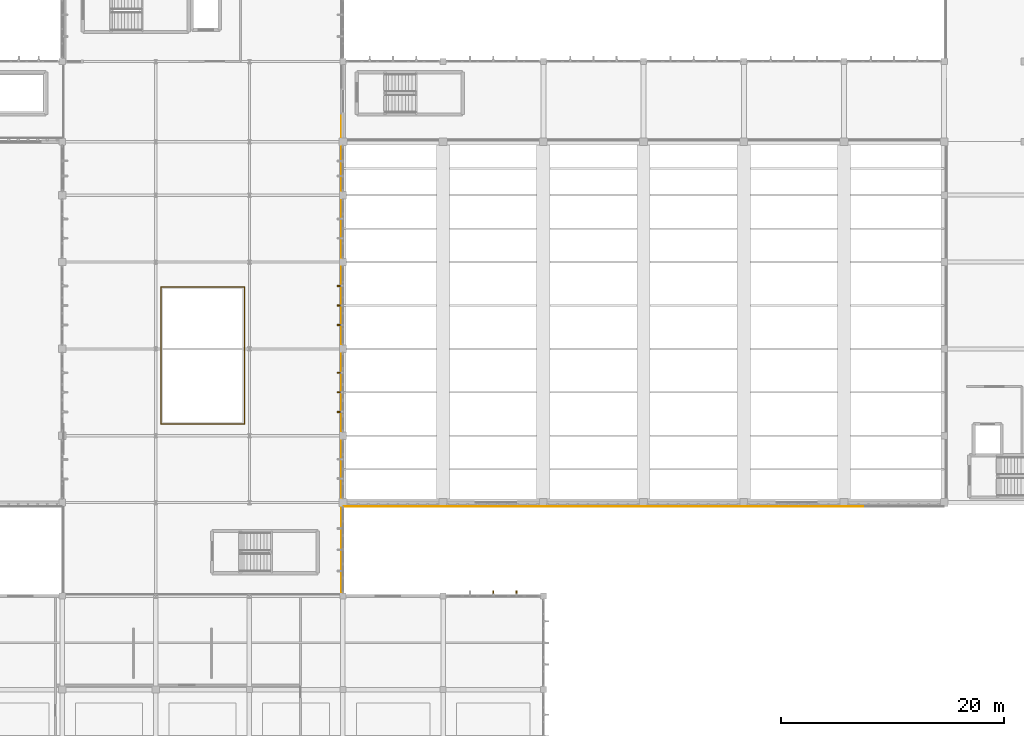
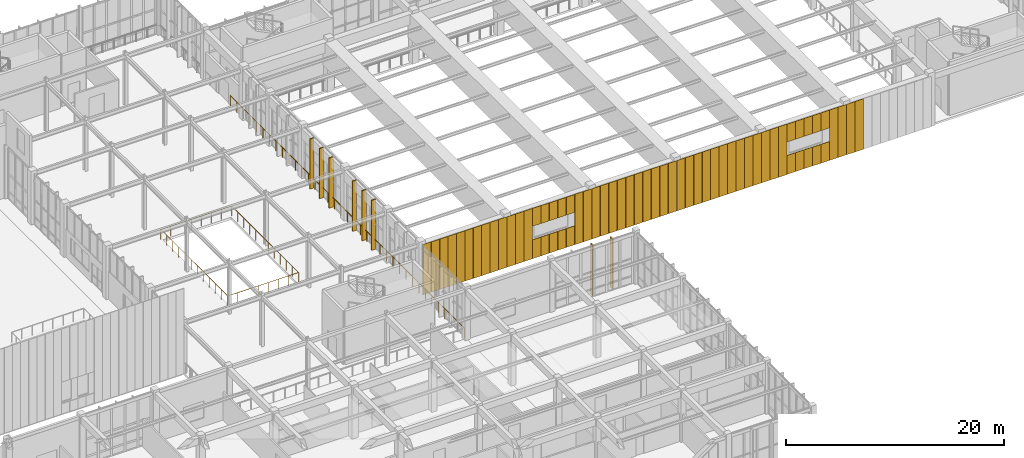
# One storey, part 97 of 105: 70 coverings, 2 railings.
"""IFC4 building model written with IfcOpenShell, lengths in metres."""

from ifc_helpers import new_model, si_unit, direction, frame, origin, origin_2d, place, context, subcontext, project, spatial, rectangle, circle, extrude, material, layer, layer_set, type_object, element, save


model = new_model("IFC4")

# Units and contexts
model_context = context("Model", 3, precision=1e-05, world=origin(), true_north=direction((0.0, 1.0)))
body_context = subcontext(model_context, "Body", "Model", "MODEL_VIEW")
ifc_project = project(units=[si_unit("LENGTHUNIT", "METRE"), si_unit("AREAUNIT", "SQUARE_METRE"), si_unit("VOLUMEUNIT", "CUBIC_METRE"), si_unit("PLANEANGLEUNIT", "RADIAN"), si_unit("MASSUNIT", "GRAM", prefix="KILO")], contexts=[model_context])

# Site, building, storey
site_placement = place(None, origin())
site = spatial("IfcSite", under=ifc_project, at=site_placement, CompositionType="ELEMENT")
building_placement = place(site_placement, origin())
building = spatial("IfcBuilding", under=site, at=building_placement, Name="Tizgana Railside Sports Hall", CompositionType="ELEMENT")
storey_placement = place(building_placement, frame((0.0, 0.0, 6.0)))
storey = spatial("IfcBuildingStorey", under=building, at=storey_placement, Name="L01", CompositionType="ELEMENT", Elevation=6.0)

# Coverings
ifc_material_1 = material(Name="Glulam GL28h", Category="wood")
ifc_layer_1 = layer(ifc_material_1, 0.139892578125, Name="Glulam GL28h")
ifc_layer_set_1 = layer_set([ifc_layer_1], Name="Glulam GL28h")
covering_type_1 = type_object("IfcCoveringType", Name="Mass-Timber Brise-Soleil & Pergola Fin", PredefinedType="CLADDING", material=ifc_layer_set_1)
for number, where, z_axis, x_axis, name in (
    (1, (93.300048828125, 32.679931640625, 0.0400390625), (0.0, 0.0, 1.0), (1.0, 0.0, 0.0), "L01 Timber Brise-Soleil Fin"),
    (2, (95.385009765625, 32.679931640625, 0.0400390625), (0.0, 0.0, 1.0), (1.0, 0.0, 0.0), "L01 Timber Brise-Soleil Fin"),
):
    element("IfcCovering", number, at=place(storey_placement, frame(where, z_axis=z_axis, x_axis=x_axis)), inside=storey, type_object=covering_type_1, Name=name, PredefinedType="CLADDING", context=body_context, shape_type="SweptSolid", body=[
        extrude(rectangle(XDim=0.1201171875, YDim=0.43994140625, at=origin_2d()), origin(), (0.0, 0.0, 1.0), 5.639892578125),
    ])
for number, where, z_axis, x_axis, name in (
    (3, (79.52001953125, 48.93994140625, 0.0400390625), (0.0, 0.0, 1.0), (0.0, 1.0, 0.0), "L01 Timber Brise-Soleil Fin"),
    (4, (79.52001953125, 50.699951171875, 0.0400390625), (0.0, 0.0, 1.0), (0.0, 1.0, 0.0), "L01 Timber Brise-Soleil Fin"),
    (5, (79.52001953125, 52.4599609375, 0.0400390625), (0.0, 0.0, 1.0), (0.0, 1.0, 0.0), "L01 Timber Brise-Soleil Fin"),
    (6, (79.52001953125, 56.739990234375, 0.0400390625), (0.0, 0.0, 1.0), (0.0, 1.0, 0.0), "L01 Timber Brise-Soleil Fin"),
    (7, (79.52001953125, 58.5, 0.0400390625), (0.0, 0.0, 1.0), (0.0, 1.0, 0.0), "L01 Timber Brise-Soleil Fin"),
    (8, (79.52001953125, 60.260009765625, 0.0400390625), (0.0, 0.0, 1.0), (0.0, 1.0, 0.0), "L01 Timber Brise-Soleil Fin"),
):
    element("IfcCovering", number, at=place(storey_placement, frame(where, z_axis=z_axis, x_axis=x_axis)), inside=storey, type_object=covering_type_1, Name=name, PredefinedType="CLADDING", context=body_context, shape_type="SweptSolid", body=[
        extrude(rectangle(XDim=0.1201171875, YDim=0.43994140625, at=origin_2d()), origin(), (0.0, 0.0, 1.0), 5.610107421875),
    ])
ifc_material_2 = material(Name="Anodised perforated aluminium screen", Category="aluminium")
ifc_layer_2 = layer(ifc_material_2, 0.044921875, Name="Anodised perforated aluminium screen")
ifc_layer_set_2 = layer_set([ifc_layer_2], Name="Anodised perforated aluminium screen")
covering_type_2 = type_object("IfcCoveringType", Name="Perforated Aluminium Hall Screen 900", PredefinedType="CLADDING", material=ifc_layer_set_2)
for number, where, z_axis, x_axis, name in (
    (9, (88.304931640625, 40.465087890625, -0.030029296875), (0.0, 0.0, 1.0), (-1.0, 0.0, 0.0), "L01 Perforated Screen SCR-0202"),
    (10, (87.4150390625, 40.465087890625, -0.030029296875), (0.0, 0.0, 1.0), (-1.0, 0.0, 0.0), "L01 Perforated Screen SCR-0203"),
    (11, (86.52490234375, 40.465087890625, -0.030029296875), (0.0, 0.0, 1.0), (-1.0, 0.0, 0.0), "L01 Perforated Screen SCR-0204"),
    (12, (85.635009765625, 40.465087890625, -0.030029296875), (0.0, 0.0, 1.0), (-1.0, 0.0, 0.0), "L01 Perforated Screen SCR-0205"),
    (13, (84.7451171875, 40.465087890625, -0.030029296875), (0.0, 0.0, 1.0), (-1.0, 0.0, 0.0), "L01 Perforated Screen SCR-0206"),
    (14, (83.85498046875, 40.465087890625, -0.030029296875), (0.0, 0.0, 1.0), (-1.0, 0.0, 0.0), "L01 Perforated Screen SCR-0207"),
    (15, (82.965087890625, 40.465087890625, -0.030029296875), (0.0, 0.0, 1.0), (-1.0, 0.0, 0.0), "L01 Perforated Screen SCR-0208"),
    (16, (82.074951171875, 40.465087890625, -0.030029296875), (0.0, 0.0, 1.0), (-1.0, 0.0, 0.0), "L01 Perforated Screen SCR-0209"),
    (17, (81.18505859375, 40.465087890625, -0.030029296875), (0.0, 0.0, 1.0), (-1.0, 0.0, 0.0), "L01 Perforated Screen SCR-0210"),
    (18, (80.294921875, 40.465087890625, -0.030029296875), (0.0, 0.0, 1.0), (-1.0, 0.0, 0.0), "L01 Perforated Screen SCR-0211"),
):
    element("IfcCovering", number, at=place(storey_placement, frame(where, z_axis=z_axis, x_axis=x_axis)), inside=storey, type_object=covering_type_2, Name=name, PredefinedType="CLADDING", context=body_context, shape_type="SweptSolid", body=[
        extrude(rectangle(XDim=0.8720703125, YDim=0.044921875, at=origin_2d()), origin(), (0.0, 0.0, 1.0), 5.64990234375),
    ])
for number, where, z_axis, x_axis, name in (
    (19, (97.30029296875, 40.465087890625, -0.030029296875), (0.0, 0.0, 1.0), (-1.0, 0.0, 0.0), "L01 Perforated Screen SCR-0239"),
    (20, (96.40087890625, 40.465087890625, -0.030029296875), (0.0, 0.0, 1.0), (-1.0, 0.0, 0.0), "L01 Perforated Screen SCR-0240"),
):
    element("IfcCovering", number, at=place(storey_placement, frame(where, z_axis=z_axis, x_axis=x_axis)), inside=storey, type_object=covering_type_2, Name=name, PredefinedType="CLADDING", context=body_context, shape_type="SweptSolid", body=[
        extrude(rectangle(XDim=0.881591796875, YDim=0.044921875, at=origin_2d()), origin(), (0.0, 0.0, 1.0), 5.64990234375),
    ])
covering_1_placement = place(storey_placement, frame((95.501220703125, 40.465087890625, -0.02001953125), z_axis=(0.0, 0.0, 1.0), x_axis=(-1.0, 0.0, 0.0)))
element("IfcCovering", 21, at=covering_1_placement, inside=storey, type_object=covering_type_2, Name="L01 Perforated Spandrel SCR-0241", PredefinedType="CLADDING", context=body_context, shape_type="SweptSolid", body=[
    extrude(rectangle(XDim=0.881591796875, YDim=0.044921875, at=origin_2d()), origin(), (0.0, 0.0, 1.0), 2.110107421875),
])
covering_2_placement = place(storey_placement, frame((95.501220703125, 40.465087890625, 3.610107421875), z_axis=(0.0, 0.0, 1.0), x_axis=(-1.0, 0.0, 0.0)))
element("IfcCovering", 22, at=covering_2_placement, inside=storey, type_object=covering_type_2, Name="L01 Perforated Header SCR-0242", PredefinedType="CLADDING", context=body_context, shape_type="SweptSolid", body=[
    extrude(rectangle(XDim=0.881591796875, YDim=0.044921875, at=origin_2d()), origin(), (0.0, 0.0, 1.0), 2.0),
])
covering_3_placement = place(storey_placement, frame((94.601806640625, 40.465087890625, -0.02001953125), z_axis=(0.0, 0.0, 1.0), x_axis=(-1.0, 0.0, 0.0)))
element("IfcCovering", 23, at=covering_3_placement, inside=storey, type_object=covering_type_2, Name="L01 Perforated Spandrel SCR-0243", PredefinedType="CLADDING", context=body_context, shape_type="SweptSolid", body=[
    extrude(rectangle(XDim=0.881591796875, YDim=0.044921875, at=origin_2d()), origin(), (0.0, 0.0, 1.0), 2.110107421875),
])
covering_4_placement = place(storey_placement, frame((94.601806640625, 40.465087890625, 3.610107421875), z_axis=(0.0, 0.0, 1.0), x_axis=(-1.0, 0.0, 0.0)))
element("IfcCovering", 24, at=covering_4_placement, inside=storey, type_object=covering_type_2, Name="L01 Perforated Header SCR-0244", PredefinedType="CLADDING", context=body_context, shape_type="SweptSolid", body=[
    extrude(rectangle(XDim=0.881591796875, YDim=0.044921875, at=origin_2d()), origin(), (0.0, 0.0, 1.0), 2.0),
])
covering_5_placement = place(storey_placement, frame((93.7021484375, 40.465087890625, -0.02001953125), z_axis=(0.0, 0.0, 1.0), x_axis=(-1.0, 0.0, 0.0)))
element("IfcCovering", 25, at=covering_5_placement, inside=storey, type_object=covering_type_2, Name="L01 Perforated Spandrel SCR-0245", PredefinedType="CLADDING", context=body_context, shape_type="SweptSolid", body=[
    extrude(rectangle(XDim=0.881591796875, YDim=0.044921875, at=origin_2d()), origin(), (0.0, 0.0, 1.0), 2.110107421875),
])
covering_6_placement = place(storey_placement, frame((93.7021484375, 40.465087890625, 3.610107421875), z_axis=(0.0, 0.0, 1.0), x_axis=(-1.0, 0.0, 0.0)))
element("IfcCovering", 26, at=covering_6_placement, inside=storey, type_object=covering_type_2, Name="L01 Perforated Header SCR-0246", PredefinedType="CLADDING", context=body_context, shape_type="SweptSolid", body=[
    extrude(rectangle(XDim=0.881591796875, YDim=0.044921875, at=origin_2d()), origin(), (0.0, 0.0, 1.0), 2.0),
])
covering_7_placement = place(storey_placement, frame((92.802734375, 40.465087890625, -0.02001953125), z_axis=(0.0, 0.0, 1.0), x_axis=(-1.0, 0.0, 0.0)))
element("IfcCovering", 27, at=covering_7_placement, inside=storey, type_object=covering_type_2, Name="L01 Perforated Spandrel SCR-0247", PredefinedType="CLADDING", context=body_context, shape_type="SweptSolid", body=[
    extrude(rectangle(XDim=0.881591796875, YDim=0.044921875, at=origin_2d()), origin(), (0.0, 0.0, 1.0), 2.110107421875),
])
covering_8_placement = place(storey_placement, frame((92.802734375, 40.465087890625, 3.610107421875), z_axis=(0.0, 0.0, 1.0), x_axis=(-1.0, 0.0, 0.0)))
element("IfcCovering", 28, at=covering_8_placement, inside=storey, type_object=covering_type_2, Name="L01 Perforated Header SCR-0248", PredefinedType="CLADDING", context=body_context, shape_type="SweptSolid", body=[
    extrude(rectangle(XDim=0.881591796875, YDim=0.044921875, at=origin_2d()), origin(), (0.0, 0.0, 1.0), 2.0),
])
covering_9_placement = place(storey_placement, frame((91.9033203125, 40.465087890625, -0.02001953125), z_axis=(0.0, 0.0, 1.0), x_axis=(-1.0, 0.0, 0.0)))
element("IfcCovering", 29, at=covering_9_placement, inside=storey, type_object=covering_type_2, Name="L01 Perforated Spandrel SCR-0249", PredefinedType="CLADDING", context=body_context, shape_type="SweptSolid", body=[
    extrude(rectangle(XDim=0.881591796875, YDim=0.044921875, at=origin_2d()), origin(), (0.0, 0.0, 1.0), 2.110107421875),
])
covering_10_placement = place(storey_placement, frame((91.9033203125, 40.465087890625, 3.610107421875), z_axis=(0.0, 0.0, 1.0), x_axis=(-1.0, 0.0, 0.0)))
element("IfcCovering", 30, at=covering_10_placement, inside=storey, type_object=covering_type_2, Name="L01 Perforated Header SCR-0250", PredefinedType="CLADDING", context=body_context, shape_type="SweptSolid", body=[
    extrude(rectangle(XDim=0.881591796875, YDim=0.044921875, at=origin_2d()), origin(), (0.0, 0.0, 1.0), 2.0),
])
for number, where, z_axis, x_axis, name in (
    (31, (91.003662109375, 40.465087890625, -0.030029296875), (0.0, 0.0, 1.0), (-1.0, 0.0, 0.0), "L01 Perforated Screen SCR-0251"),
    (32, (90.104248046875, 40.465087890625, -0.030029296875), (0.0, 0.0, 1.0), (-1.0, 0.0, 0.0), "L01 Perforated Screen SCR-0252"),
    (33, (89.20458984375, 40.465087890625, -0.030029296875), (0.0, 0.0, 1.0), (-1.0, 0.0, 0.0), "L01 Perforated Screen SCR-0253"),
    (34, (106.30029296875, 40.465087890625, -0.030029296875), (0.0, 0.0, 1.0), (-1.0, 0.0, 0.0), "L01 Perforated Screen SCR-0279"),
    (35, (105.40087890625, 40.465087890625, -0.030029296875), (0.0, 0.0, 1.0), (-1.0, 0.0, 0.0), "L01 Perforated Screen SCR-0280"),
    (36, (104.501220703125, 40.465087890625, -0.030029296875), (0.0, 0.0, 1.0), (-1.0, 0.0, 0.0), "L01 Perforated Screen SCR-0281"),
    (37, (103.601806640625, 40.465087890625, -0.030029296875), (0.0, 0.0, 1.0), (-1.0, 0.0, 0.0), "L01 Perforated Screen SCR-0282"),
    (38, (102.7021484375, 40.465087890625, -0.030029296875), (0.0, 0.0, 1.0), (-1.0, 0.0, 0.0), "L01 Perforated Screen SCR-0283"),
    (39, (101.802734375, 40.465087890625, -0.030029296875), (0.0, 0.0, 1.0), (-1.0, 0.0, 0.0), "L01 Perforated Screen SCR-0284"),
    (40, (100.9033203125, 40.465087890625, -0.030029296875), (0.0, 0.0, 1.0), (-1.0, 0.0, 0.0), "L01 Perforated Screen SCR-0285"),
    (41, (100.003662109375, 40.465087890625, -0.030029296875), (0.0, 0.0, 1.0), (-1.0, 0.0, 0.0), "L01 Perforated Screen SCR-0286"),
    (42, (99.104248046875, 40.465087890625, -0.030029296875), (0.0, 0.0, 1.0), (-1.0, 0.0, 0.0), "L01 Perforated Screen SCR-0287"),
    (43, (98.20458984375, 40.465087890625, -0.030029296875), (0.0, 0.0, 1.0), (-1.0, 0.0, 0.0), "L01 Perforated Screen SCR-0288"),
    (44, (115.30029296875, 40.465087890625, -0.030029296875), (0.0, 0.0, 1.0), (-1.0, 0.0, 0.0), "L01 Perforated Screen SCR-0316"),
    (45, (114.40087890625, 40.465087890625, -0.030029296875), (0.0, 0.0, 1.0), (-1.0, 0.0, 0.0), "L01 Perforated Screen SCR-0317"),
    (46, (113.501220703125, 40.465087890625, -0.030029296875), (0.0, 0.0, 1.0), (-1.0, 0.0, 0.0), "L01 Perforated Screen SCR-0318"),
    (47, (112.601806640625, 40.465087890625, -0.030029296875), (0.0, 0.0, 1.0), (-1.0, 0.0, 0.0), "L01 Perforated Screen SCR-0319"),
    (48, (111.7021484375, 40.465087890625, -0.030029296875), (0.0, 0.0, 1.0), (-1.0, 0.0, 0.0), "L01 Perforated Screen SCR-0320"),
    (49, (110.802734375, 40.465087890625, -0.030029296875), (0.0, 0.0, 1.0), (-1.0, 0.0, 0.0), "L01 Perforated Screen SCR-0321"),
    (50, (109.9033203125, 40.465087890625, -0.030029296875), (0.0, 0.0, 1.0), (-1.0, 0.0, 0.0), "L01 Perforated Screen SCR-0322"),
    (51, (109.003662109375, 40.465087890625, -0.030029296875), (0.0, 0.0, 1.0), (-1.0, 0.0, 0.0), "L01 Perforated Screen SCR-0323"),
    (52, (108.104248046875, 40.465087890625, -0.030029296875), (0.0, 0.0, 1.0), (-1.0, 0.0, 0.0), "L01 Perforated Screen SCR-0324"),
    (53, (107.20458984375, 40.465087890625, -0.030029296875), (0.0, 0.0, 1.0), (-1.0, 0.0, 0.0), "L01 Perforated Screen SCR-0325"),
    (54, (124.30029296875, 40.465087890625, -0.030029296875), (0.0, 0.0, 1.0), (-1.0, 0.0, 0.0), "L01 Perforated Screen SCR-0346"),
    (55, (123.40087890625, 40.465087890625, -0.030029296875), (0.0, 0.0, 1.0), (-1.0, 0.0, 0.0), "L01 Perforated Screen SCR-0347"),
):
    element("IfcCovering", number, at=place(storey_placement, frame(where, z_axis=z_axis, x_axis=x_axis)), inside=storey, type_object=covering_type_2, Name=name, PredefinedType="CLADDING", context=body_context, shape_type="SweptSolid", body=[
        extrude(rectangle(XDim=0.881591796875, YDim=0.044921875, at=origin_2d()), origin(), (0.0, 0.0, 1.0), 5.64990234375),
    ])
covering_11_placement = place(storey_placement, frame((122.501220703125, 40.465087890625, -0.02001953125), z_axis=(0.0, 0.0, 1.0), x_axis=(-1.0, 0.0, 0.0)))
element("IfcCovering", 56, at=covering_11_placement, inside=storey, type_object=covering_type_2, Name="L01 Perforated Spandrel SCR-0348", PredefinedType="CLADDING", context=body_context, shape_type="SweptSolid", body=[
    extrude(rectangle(XDim=0.881591796875, YDim=0.044921875, at=origin_2d()), origin(), (0.0, 0.0, 1.0), 2.110107421875),
])
covering_12_placement = place(storey_placement, frame((122.501220703125, 40.465087890625, 3.610107421875), z_axis=(0.0, 0.0, 1.0), x_axis=(-1.0, 0.0, 0.0)))
element("IfcCovering", 57, at=covering_12_placement, inside=storey, type_object=covering_type_2, Name="L01 Perforated Header SCR-0349", PredefinedType="CLADDING", context=body_context, shape_type="SweptSolid", body=[
    extrude(rectangle(XDim=0.881591796875, YDim=0.044921875, at=origin_2d()), origin(), (0.0, 0.0, 1.0), 2.0),
])
covering_13_placement = place(storey_placement, frame((121.601806640625, 40.465087890625, -0.02001953125), z_axis=(0.0, 0.0, 1.0), x_axis=(-1.0, 0.0, 0.0)))
element("IfcCovering", 58, at=covering_13_placement, inside=storey, type_object=covering_type_2, Name="L01 Perforated Spandrel SCR-0350", PredefinedType="CLADDING", context=body_context, shape_type="SweptSolid", body=[
    extrude(rectangle(XDim=0.881591796875, YDim=0.044921875, at=origin_2d()), origin(), (0.0, 0.0, 1.0), 2.110107421875),
])
covering_14_placement = place(storey_placement, frame((121.601806640625, 40.465087890625, 3.610107421875), z_axis=(0.0, 0.0, 1.0), x_axis=(-1.0, 0.0, 0.0)))
element("IfcCovering", 59, at=covering_14_placement, inside=storey, type_object=covering_type_2, Name="L01 Perforated Header SCR-0351", PredefinedType="CLADDING", context=body_context, shape_type="SweptSolid", body=[
    extrude(rectangle(XDim=0.881591796875, YDim=0.044921875, at=origin_2d()), origin(), (0.0, 0.0, 1.0), 2.0),
])
covering_15_placement = place(storey_placement, frame((120.7021484375, 40.465087890625, -0.02001953125), z_axis=(0.0, 0.0, 1.0), x_axis=(-1.0, 0.0, 0.0)))
element("IfcCovering", 60, at=covering_15_placement, inside=storey, type_object=covering_type_2, Name="L01 Perforated Spandrel SCR-0352", PredefinedType="CLADDING", context=body_context, shape_type="SweptSolid", body=[
    extrude(rectangle(XDim=0.881591796875, YDim=0.044921875, at=origin_2d()), origin(), (0.0, 0.0, 1.0), 2.110107421875),
])
covering_16_placement = place(storey_placement, frame((120.7021484375, 40.465087890625, 3.610107421875), z_axis=(0.0, 0.0, 1.0), x_axis=(-1.0, 0.0, 0.0)))
element("IfcCovering", 61, at=covering_16_placement, inside=storey, type_object=covering_type_2, Name="L01 Perforated Header SCR-0353", PredefinedType="CLADDING", context=body_context, shape_type="SweptSolid", body=[
    extrude(rectangle(XDim=0.881591796875, YDim=0.044921875, at=origin_2d()), origin(), (0.0, 0.0, 1.0), 2.0),
])
covering_17_placement = place(storey_placement, frame((119.802734375, 40.465087890625, -0.02001953125), z_axis=(0.0, 0.0, 1.0), x_axis=(-1.0, 0.0, 0.0)))
element("IfcCovering", 62, at=covering_17_placement, inside=storey, type_object=covering_type_2, Name="L01 Perforated Spandrel SCR-0354", PredefinedType="CLADDING", context=body_context, shape_type="SweptSolid", body=[
    extrude(rectangle(XDim=0.881591796875, YDim=0.044921875, at=origin_2d()), origin(), (0.0, 0.0, 1.0), 2.110107421875),
])
covering_18_placement = place(storey_placement, frame((119.802734375, 40.465087890625, 3.610107421875), z_axis=(0.0, 0.0, 1.0), x_axis=(-1.0, 0.0, 0.0)))
element("IfcCovering", 63, at=covering_18_placement, inside=storey, type_object=covering_type_2, Name="L01 Perforated Header SCR-0355", PredefinedType="CLADDING", context=body_context, shape_type="SweptSolid", body=[
    extrude(rectangle(XDim=0.881591796875, YDim=0.044921875, at=origin_2d()), origin(), (0.0, 0.0, 1.0), 2.0),
])
covering_19_placement = place(storey_placement, frame((118.9033203125, 40.465087890625, -0.02001953125), z_axis=(0.0, 0.0, 1.0), x_axis=(-1.0, 0.0, 0.0)))
element("IfcCovering", 64, at=covering_19_placement, inside=storey, type_object=covering_type_2, Name="L01 Perforated Spandrel SCR-0356", PredefinedType="CLADDING", context=body_context, shape_type="SweptSolid", body=[
    extrude(rectangle(XDim=0.881591796875, YDim=0.044921875, at=origin_2d()), origin(), (0.0, 0.0, 1.0), 2.110107421875),
])
covering_20_placement = place(storey_placement, frame((118.9033203125, 40.465087890625, 3.610107421875), z_axis=(0.0, 0.0, 1.0), x_axis=(-1.0, 0.0, 0.0)))
element("IfcCovering", 65, at=covering_20_placement, inside=storey, type_object=covering_type_2, Name="L01 Perforated Header SCR-0357", PredefinedType="CLADDING", context=body_context, shape_type="SweptSolid", body=[
    extrude(rectangle(XDim=0.881591796875, YDim=0.044921875, at=origin_2d()), origin(), (0.0, 0.0, 1.0), 2.0),
])
for number, where, z_axis, x_axis, name in (
    (66, (118.003662109375, 40.465087890625, -0.030029296875), (0.0, 0.0, 1.0), (-1.0, 0.0, 0.0), "L01 Perforated Screen SCR-0358"),
    (67, (117.104248046875, 40.465087890625, -0.030029296875), (0.0, 0.0, 1.0), (-1.0, 0.0, 0.0), "L01 Perforated Screen SCR-0359"),
    (68, (116.20458984375, 40.465087890625, -0.030029296875), (0.0, 0.0, 1.0), (-1.0, 0.0, 0.0), "L01 Perforated Screen SCR-0360"),
    (69, (126.104248046875, 40.465087890625, -0.030029296875), (0.0, 0.0, 1.0), (-1.0, 0.0, 0.0), "L01 Perforated Screen SCR-0394"),
    (70, (125.20458984375, 40.465087890625, -0.030029296875), (0.0, 0.0, 1.0), (-1.0, 0.0, 0.0), "L01 Perforated Screen SCR-0395"),
):
    element("IfcCovering", number, at=place(storey_placement, frame(where, z_axis=z_axis, x_axis=x_axis)), inside=storey, type_object=covering_type_2, Name=name, PredefinedType="CLADDING", context=body_context, shape_type="SweptSolid", body=[
        extrude(rectangle(XDim=0.881591796875, YDim=0.044921875, at=origin_2d()), origin(), (0.0, 0.0, 1.0), 5.64990234375),
    ])

# Railings
ifc_material_3 = material(Name="Anodised aluminium", Category="aluminium")
railing_type = type_object("IfcRailingType", Name="Terrace & Track Guard 1150", PredefinedType="BALUSTRADE", material=ifc_material_3)
railing_1_placement = place(storey_placement, frame((63.449951171875, 47.85009765625, 0.0)))
element("IfcRailing", 71, at=railing_1_placement, inside=storey, type_object=railing_type, Name="L01 Safety Guard GRD-0021", PredefinedType="BALUSTRADE", context=body_context, shape_type="SweptSolid", body=[
    extrude(circle(Radius=0.02392578125, at=origin_2d()), frame((0.0, 0.0, 1.1259765625), z_axis=(1.0, 0.0, 0.0), x_axis=(0.0, 1.0, 0.0)), (0.0, 0.0, 1.0), 7.5),
    extrude(circle(Radius=0.02392578125, at=origin_2d()), frame((7.5, 0.0, 1.1259765625), z_axis=(0.0, 1.0, 0.0), x_axis=(-1.0, 0.0, 0.0)), (0.0, 0.0, 1.0), 12.2998046875),
    extrude(circle(Radius=0.02392578125, at=origin_2d()), frame((7.5, 12.2998046875, 1.1259765625), z_axis=(-1.0, 0.0, 0.0), x_axis=(0.0, -1.0, 0.0)), (0.0, 0.0, 1.0), 7.5),
    extrude(circle(Radius=0.02392578125, at=origin_2d()), frame((0.0, 12.2998046875, 1.1259765625), z_axis=(0.0, -1.0, 0.0), x_axis=(1.0, 0.0, 0.0)), (0.0, 0.0, 1.0), 12.219970703125),
    extrude(circle(Radius=0.02099609375, at=origin_2d()), origin(), (0.0, 0.0, 1.0), 1.101806640625),
    extrude(circle(Radius=0.02099609375, at=origin_2d()), frame((1.071533203125, 0.0, 0.0)), (0.0, 0.0, 1.0), 1.101806640625),
    extrude(circle(Radius=0.02099609375, at=origin_2d()), frame((2.142822265625, 0.0, 0.0)), (0.0, 0.0, 1.0), 1.101806640625),
    extrude(circle(Radius=0.02099609375, at=origin_2d()), frame((3.21435546875, 0.0, 0.0)), (0.0, 0.0, 1.0), 1.101806640625),
    extrude(circle(Radius=0.02099609375, at=origin_2d()), frame((4.28564453125, 0.0, 0.0)), (0.0, 0.0, 1.0), 1.101806640625),
    extrude(circle(Radius=0.02099609375, at=origin_2d()), frame((5.357177734375, 0.0, 0.0)), (0.0, 0.0, 1.0), 1.101806640625),
    extrude(circle(Radius=0.02099609375, at=origin_2d()), frame((6.428466796875, 0.0, 0.0)), (0.0, 0.0, 1.0), 1.101806640625),
    extrude(circle(Radius=0.02099609375, at=origin_2d()), frame((7.5, 0.0, 0.0)), (0.0, 0.0, 1.0), 1.101806640625),
    extrude(circle(Radius=0.02099609375, at=origin_2d()), frame((7.5, 1.1181640625, 0.0)), (0.0, 0.0, 1.0), 1.101806640625),
    extrude(circle(Radius=0.02099609375, at=origin_2d()), frame((7.5, 2.236328125, 0.0)), (0.0, 0.0, 1.0), 1.101806640625),
    extrude(circle(Radius=0.02099609375, at=origin_2d()), frame((7.5, 3.3544921875, 0.0)), (0.0, 0.0, 1.0), 1.101806640625),
    extrude(circle(Radius=0.02099609375, at=origin_2d()), frame((7.5, 4.47265625, 0.0)), (0.0, 0.0, 1.0), 1.101806640625),
    extrude(circle(Radius=0.02099609375, at=origin_2d()), frame((7.5, 5.5908203125, 0.0)), (0.0, 0.0, 1.0), 1.101806640625),
    extrude(circle(Radius=0.02099609375, at=origin_2d()), frame((7.5, 6.708984375, 0.0)), (0.0, 0.0, 1.0), 1.101806640625),
    extrude(circle(Radius=0.02099609375, at=origin_2d()), frame((7.5, 7.8271484375, 0.0)), (0.0, 0.0, 1.0), 1.101806640625),
    extrude(circle(Radius=0.02099609375, at=origin_2d()), frame((7.5, 8.9453125, 0.0)), (0.0, 0.0, 1.0), 1.101806640625),
    extrude(circle(Radius=0.02099609375, at=origin_2d()), frame((7.5, 10.0634765625, 0.0)), (0.0, 0.0, 1.0), 1.101806640625),
    extrude(circle(Radius=0.02099609375, at=origin_2d()), frame((7.5, 11.181640625, 0.0)), (0.0, 0.0, 1.0), 1.101806640625),
    extrude(circle(Radius=0.02099609375, at=origin_2d()), frame((7.5, 12.2998046875, 0.0)), (0.0, 0.0, 1.0), 1.101806640625),
    extrude(circle(Radius=0.02099609375, at=origin_2d()), frame((6.428466796875, 12.2998046875, 0.0)), (0.0, 0.0, 1.0), 1.101806640625),
    extrude(circle(Radius=0.02099609375, at=origin_2d()), frame((5.357177734375, 12.2998046875, 0.0)), (0.0, 0.0, 1.0), 1.101806640625),
    extrude(circle(Radius=0.02099609375, at=origin_2d()), frame((4.28564453125, 12.2998046875, 0.0)), (0.0, 0.0, 1.0), 1.101806640625),
    extrude(circle(Radius=0.02099609375, at=origin_2d()), frame((3.21435546875, 12.2998046875, 0.0)), (0.0, 0.0, 1.0), 1.101806640625),
    extrude(circle(Radius=0.02099609375, at=origin_2d()), frame((2.142822265625, 12.2998046875, 0.0)), (0.0, 0.0, 1.0), 1.101806640625),
    extrude(circle(Radius=0.02099609375, at=origin_2d()), frame((1.071533203125, 12.2998046875, 0.0)), (0.0, 0.0, 1.0), 1.101806640625),
    extrude(circle(Radius=0.02099609375, at=origin_2d()), frame((0.0, 12.2998046875, 0.0)), (0.0, 0.0, 1.0), 1.101806640625),
    extrude(circle(Radius=0.02099609375, at=origin_2d()), frame((0.0, 11.18896484375, 0.0)), (0.0, 0.0, 1.0), 1.101806640625),
    extrude(circle(Radius=0.02099609375, at=origin_2d()), frame((0.0, 10.077880859375, 0.0)), (0.0, 0.0, 1.0), 1.101806640625),
    extrude(circle(Radius=0.02099609375, at=origin_2d()), frame((0.0, 8.967041015625, 0.0)), (0.0, 0.0, 1.0), 1.101806640625),
    extrude(circle(Radius=0.02099609375, at=origin_2d()), frame((0.0, 7.856201171875, 0.0)), (0.0, 0.0, 1.0), 1.101806640625),
    extrude(circle(Radius=0.02099609375, at=origin_2d()), frame((0.0, 6.745361328125, 0.0)), (0.0, 0.0, 1.0), 1.101806640625),
    extrude(circle(Radius=0.02099609375, at=origin_2d()), frame((0.0, 5.63427734375, 0.0)), (0.0, 0.0, 1.0), 1.101806640625),
    extrude(circle(Radius=0.02099609375, at=origin_2d()), frame((0.0, 4.5234375, 0.0)), (0.0, 0.0, 1.0), 1.101806640625),
    extrude(circle(Radius=0.02099609375, at=origin_2d()), frame((0.0, 3.41259765625, 0.0)), (0.0, 0.0, 1.0), 1.101806640625),
    extrude(circle(Radius=0.02099609375, at=origin_2d()), frame((0.0, 2.3017578125, 0.0)), (0.0, 0.0, 1.0), 1.101806640625),
    extrude(circle(Radius=0.02099609375, at=origin_2d()), frame((0.0, 1.190673828125, 0.0)), (0.0, 0.0, 1.0), 1.101806640625),
    extrude(circle(Radius=0.02099609375, at=origin_2d()), frame((0.0, 0.079833984375, 0.0)), (0.0, 0.0, 1.0), 1.101806640625),
])
railing_2_placement = place(storey_placement, frame((79.679931640625, 32.550048828125, 0.0)))
element("IfcRailing", 72, at=railing_2_placement, inside=storey, type_object=railing_type, Name="L01 Safety Guard GRD-0032", PredefinedType="BALUSTRADE", context=body_context, shape_type="SweptSolid", body=[
    extrude(circle(Radius=0.02392578125, at=origin_2d()), frame((0.0, 0.0, 1.1259765625), z_axis=(0.0, 1.0, 0.0), x_axis=(-1.0, 0.0, 0.0)), (0.0, 0.0, 1.0), 42.949951171875),
    extrude(circle(Radius=0.02099609375, at=origin_2d()), origin(), (0.0, 0.0, 1.0), 1.101806640625),
    extrude(circle(Radius=0.02099609375, at=origin_2d()), frame((0.0, 1.193115234375, 0.0)), (0.0, 0.0, 1.0), 1.101806640625),
    extrude(circle(Radius=0.02099609375, at=origin_2d()), frame((0.0, 2.38623046875, 0.0)), (0.0, 0.0, 1.0), 1.101806640625),
    extrude(circle(Radius=0.02099609375, at=origin_2d()), frame((0.0, 3.5791015625, 0.0)), (0.0, 0.0, 1.0), 1.101806640625),
    extrude(circle(Radius=0.02099609375, at=origin_2d()), frame((0.0, 4.772216796875, 0.0)), (0.0, 0.0, 1.0), 1.101806640625),
    extrude(circle(Radius=0.02099609375, at=origin_2d()), frame((0.0, 5.96533203125, 0.0)), (0.0, 0.0, 1.0), 1.101806640625),
    extrude(circle(Radius=0.02099609375, at=origin_2d()), frame((0.0, 7.158203125, 0.0)), (0.0, 0.0, 1.0), 1.101806640625),
    extrude(circle(Radius=0.02099609375, at=origin_2d()), frame((0.0, 8.351318359375, 0.0)), (0.0, 0.0, 1.0), 1.101806640625),
    extrude(circle(Radius=0.02099609375, at=origin_2d()), frame((0.0, 9.54443359375, 0.0)), (0.0, 0.0, 1.0), 1.101806640625),
    extrude(circle(Radius=0.02099609375, at=origin_2d()), frame((0.0, 10.737548828125, 0.0)), (0.0, 0.0, 1.0), 1.101806640625),
    extrude(circle(Radius=0.02099609375, at=origin_2d()), frame((0.0, 11.9306640625, 0.0)), (0.0, 0.0, 1.0), 1.101806640625),
    extrude(circle(Radius=0.02099609375, at=origin_2d()), frame((0.0, 13.12353515625, 0.0)), (0.0, 0.0, 1.0), 1.101806640625),
    extrude(circle(Radius=0.02099609375, at=origin_2d()), frame((0.0, 14.316650390625, 0.0)), (0.0, 0.0, 1.0), 1.101806640625),
    extrude(circle(Radius=0.02099609375, at=origin_2d()), frame((0.0, 15.509765625, 0.0)), (0.0, 0.0, 1.0), 1.101806640625),
    extrude(circle(Radius=0.02099609375, at=origin_2d()), frame((0.0, 16.70263671875, 0.0)), (0.0, 0.0, 1.0), 1.101806640625),
    extrude(circle(Radius=0.02099609375, at=origin_2d()), frame((0.0, 17.895751953125, 0.0)), (0.0, 0.0, 1.0), 1.101806640625),
    extrude(circle(Radius=0.02099609375, at=origin_2d()), frame((0.0, 19.0888671875, 0.0)), (0.0, 0.0, 1.0), 1.101806640625),
    extrude(circle(Radius=0.02099609375, at=origin_2d()), frame((0.0, 20.281982421875, 0.0)), (0.0, 0.0, 1.0), 1.101806640625),
    extrude(circle(Radius=0.02099609375, at=origin_2d()), frame((0.0, 21.47509765625, 0.0)), (0.0, 0.0, 1.0), 1.101806640625),
    extrude(circle(Radius=0.02099609375, at=origin_2d()), frame((0.0, 22.66796875, 0.0)), (0.0, 0.0, 1.0), 1.101806640625),
    extrude(circle(Radius=0.02099609375, at=origin_2d()), frame((0.0, 23.861083984375, 0.0)), (0.0, 0.0, 1.0), 1.101806640625),
    extrude(circle(Radius=0.02099609375, at=origin_2d()), frame((0.0, 25.05419921875, 0.0)), (0.0, 0.0, 1.0), 1.101806640625),
    extrude(circle(Radius=0.02099609375, at=origin_2d()), frame((0.0, 26.247314453125, 0.0)), (0.0, 0.0, 1.0), 1.101806640625),
    extrude(circle(Radius=0.02099609375, at=origin_2d()), frame((0.0, 27.440185546875, 0.0)), (0.0, 0.0, 1.0), 1.101806640625),
    extrude(circle(Radius=0.02099609375, at=origin_2d()), frame((0.0, 28.63330078125, 0.0)), (0.0, 0.0, 1.0), 1.101806640625),
    extrude(circle(Radius=0.02099609375, at=origin_2d()), frame((0.0, 29.826416015625, 0.0)), (0.0, 0.0, 1.0), 1.101806640625),
    extrude(circle(Radius=0.02099609375, at=origin_2d()), frame((0.0, 31.01953125, 0.0)), (0.0, 0.0, 1.0), 1.101806640625),
    extrude(circle(Radius=0.02099609375, at=origin_2d()), frame((0.0, 32.21240234375, 0.0)), (0.0, 0.0, 1.0), 1.101806640625),
    extrude(circle(Radius=0.02099609375, at=origin_2d()), frame((0.0, 33.405517578125, 0.0)), (0.0, 0.0, 1.0), 1.101806640625),
    extrude(circle(Radius=0.02099609375, at=origin_2d()), frame((0.0, 34.5986328125, 0.0)), (0.0, 0.0, 1.0), 1.101806640625),
    extrude(circle(Radius=0.02099609375, at=origin_2d()), frame((0.0, 35.79150390625, 0.0)), (0.0, 0.0, 1.0), 1.101806640625),
    extrude(circle(Radius=0.02099609375, at=origin_2d()), frame((0.0, 36.984619140625, 0.0)), (0.0, 0.0, 1.0), 1.101806640625),
    extrude(circle(Radius=0.02099609375, at=origin_2d()), frame((0.0, 38.177734375, 0.0)), (0.0, 0.0, 1.0), 1.101806640625),
    extrude(circle(Radius=0.02099609375, at=origin_2d()), frame((0.0, 39.370849609375, 0.0)), (0.0, 0.0, 1.0), 1.101806640625),
    extrude(circle(Radius=0.02099609375, at=origin_2d()), frame((0.0, 40.56396484375, 0.0)), (0.0, 0.0, 1.0), 1.101806640625),
    extrude(circle(Radius=0.02099609375, at=origin_2d()), frame((0.0, 41.7568359375, 0.0)), (0.0, 0.0, 1.0), 1.101806640625),
    extrude(circle(Radius=0.02099609375, at=origin_2d()), frame((0.0, 42.949951171875, 0.0)), (0.0, 0.0, 1.0), 1.101806640625),
])

save(model, "model.ifc")
